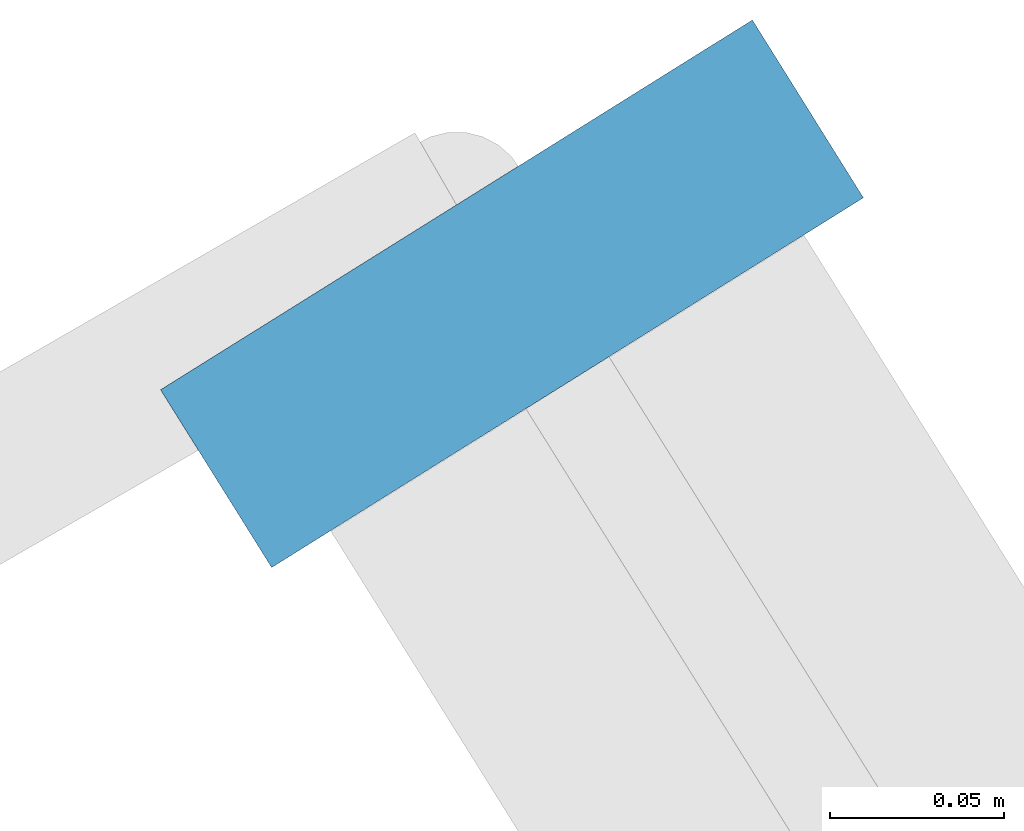
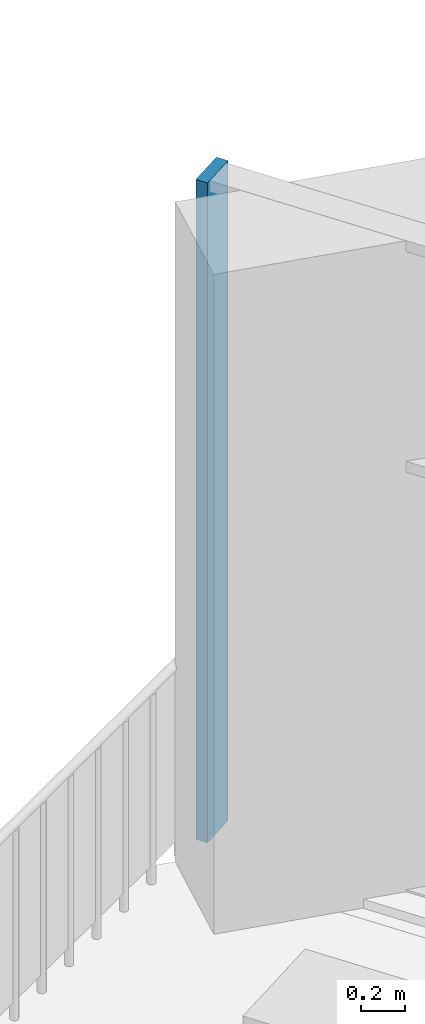
# One storey, part 4 of 14: 1 member, 1 element without a shape of its own.
"""IFC4 building model written with IfcOpenShell, lengths in metres."""

from ifc_helpers import new_model, si_unit, direction, frame, origin, origin_2d, place, context, subcontext, project, spatial, rectangle, extrude, material, material_profile, profile_set, type_object, element, aggregate, save


model = new_model("IFC4")

# Units and contexts
model_context = context("Model", 3, precision=1e-05, world=origin(), true_north=direction((0.0, 1.0)))
body_context = subcontext(model_context, "Body", "Model", "MODEL_VIEW")
ifc_project = project(units=[si_unit("LENGTHUNIT", "METRE"), si_unit("AREAUNIT", "SQUARE_METRE"), si_unit("VOLUMEUNIT", "CUBIC_METRE"), si_unit("PLANEANGLEUNIT", "RADIAN"), si_unit("MASSUNIT", "GRAM", prefix="KILO")], contexts=[model_context])

# Site, building, storey
site_placement = place(None, origin())
site = spatial("IfcSite", under=ifc_project, at=site_placement, CompositionType="ELEMENT")
building_placement = place(site_placement, origin())
building = spatial("IfcBuilding", under=site, at=building_placement, Name="Dilmun Exchange Tower", CompositionType="ELEMENT")
storey_placement = place(building_placement, frame((0.0, 0.0, 332.5)))
storey = spatial("IfcBuildingStorey", under=building, at=storey_placement, Name="L79", CompositionType="ELEMENT", Elevation=332.5)

# Curtain wall, member
ifc_material_1 = material(Name="Anodised aluminium and clear glass", Category="aluminium")
curtain_wall_type = type_object("IfcCurtainWallType", Name="Garden corner glazing", PredefinedType="NOTDEFINED", material=ifc_material_1)
curtain_wall_placement = place(storey_placement, origin())
curtain_wall = element("IfcCurtainWall", 1, at=curtain_wall_placement, inside=storey, type_object=curtain_wall_type, Name="Garden corner glazing run GC1.1", PredefinedType="NOTDEFINED")
ifc_material_2 = material(Name="Anodised aluminium", Category="aluminium")
ifc_material_profile = material_profile(ifc_material_2, rectangle(XDim=0.199951171875, YDim=0.06005859375, at=origin_2d()), Name="AL 60x200")
ifc_profile_set = profile_set([ifc_material_profile], Name="Anodised aluminium")
member_type = type_object("IfcMemberType", Name="Garden corner glazing mullion 60 x 200", PredefinedType="MULLION", material=ifc_profile_set)
member_placement = place(storey_placement, frame((-13.93017578125, 34.201171875, 0.0), z_axis=(0.0, 0.0, 1.0), x_axis=(0.8480495651, 0.529916913426, 0.0)))
member = element("IfcMember", 2, at=member_placement, type_object=member_type, Name="GC1.1 mullion 1", PredefinedType="MULLION", context=body_context, shape_type="SweptSolid", body=[
    extrude(rectangle(XDim=0.199951171875, YDim=0.06005859375, at=origin_2d()), origin(), (0.0, 0.0, 1.0), 3.64990234375),
])
aggregate(curtain_wall, [member])

save(model, "model.ifc")
